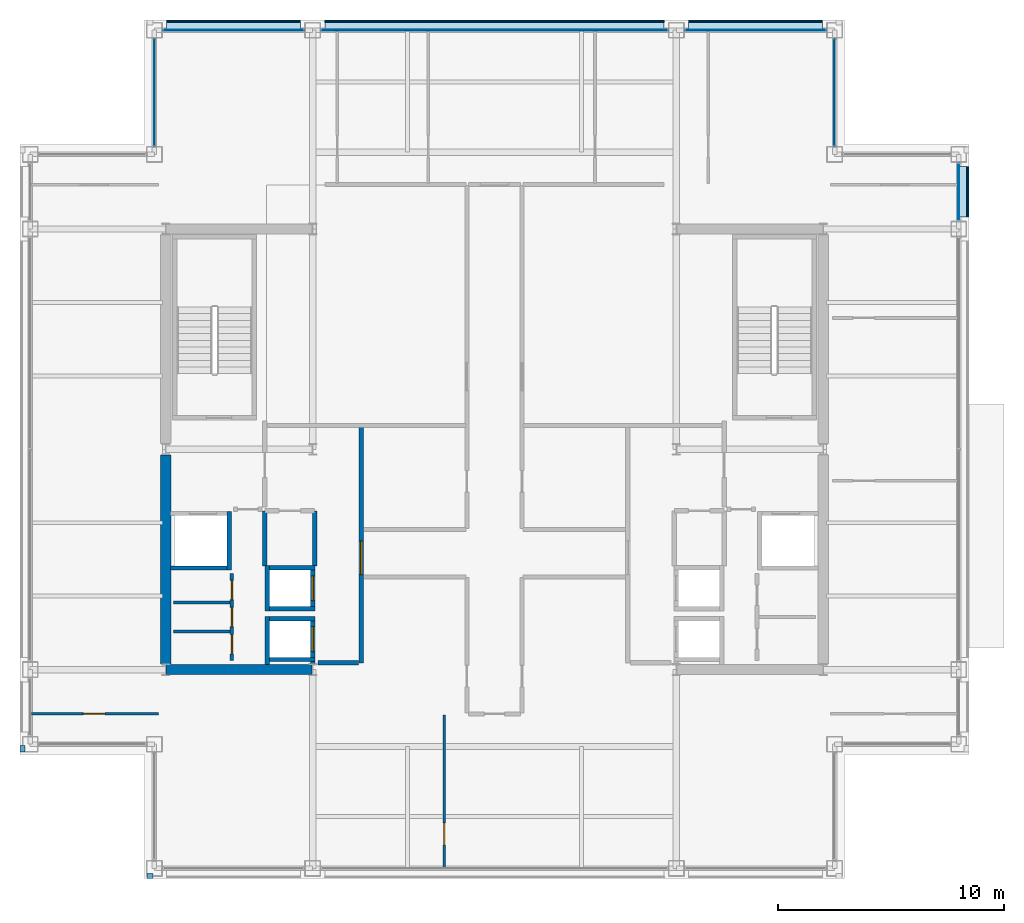
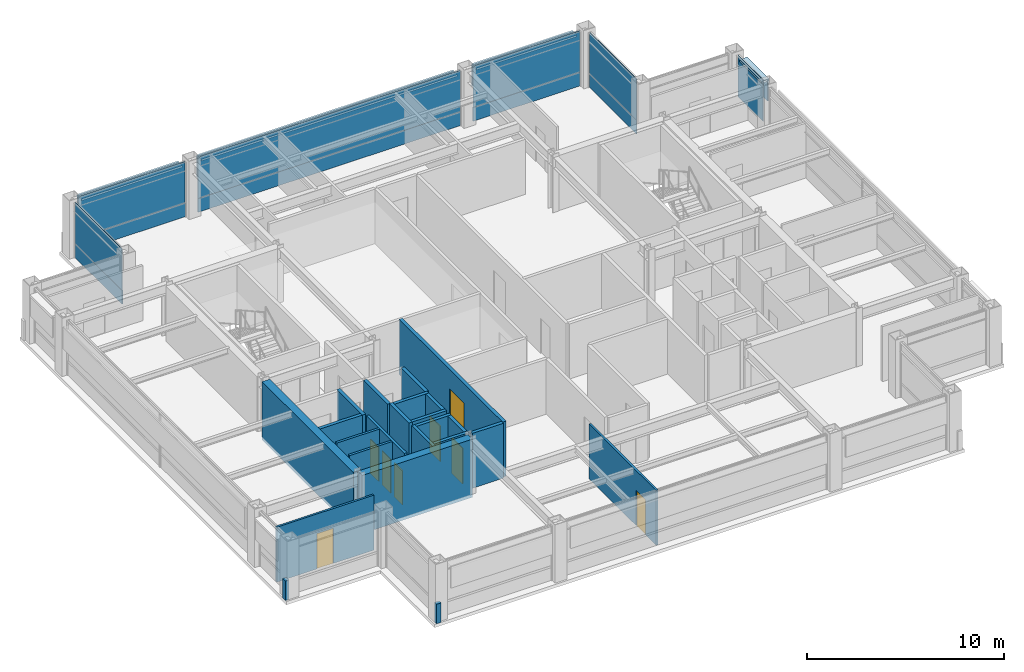
# One storey, part 22 of 26: 23 walls, 19 plates, 8 doors, 8 openings, 6 elements without a shape of their own.
"""IFC4 building model written with IfcOpenShell, lengths in metres."""

import ifcopenshell
import ifcopenshell.guid

model = None  # the IFC model being written
_history = None  # IfcOwnerHistory: only IFC2X3 demands one
_inside = {}  # id of a spatial element -> (the spatial element, [elements in it])
_under = {}  # id of a project, library or spatial element -> (it, [spatial elements below it])
_declared = {}  # id of a project -> (the project, [libraries it declares])
_typed = {}  # id of a type object -> (the type object, [elements of that type])
_made_of = {}  # id of a material, layer set ... -> (it, [elements and type objects made of it])


def new_model(schema):
    """Start an empty IFC model of exactly this schema.

    Asked for "IFC4X3", IfcOpenShell would pick the latest addendum, in which some entities
    have other attributes; the version numbers below select the first issue.
    IFC2X3 requires an IfcOwnerHistory on every rooted entity: one is made here for all.
    """
    global model, _history
    if schema == "IFC4X3":
        model = ifcopenshell.file(schema_version=(4, 3, 0, 0))
    else:
        model = ifcopenshell.file(schema=schema)
    _inside.clear()
    _under.clear()
    _declared.clear()
    _typed.clear()
    _made_of.clear()
    _history = None
    if model.schema == "IFC2X3":
        org = make("IfcOrganization", Name="unknown")
        user = make(
            "IfcPersonAndOrganization",
            ThePerson=make("IfcPerson", FamilyName="unknown"),
            TheOrganization=org,
        )
        app = make(
            "IfcApplication",
            ApplicationDeveloper=org,
            Version="unknown",
            ApplicationFullName="unknown",
            ApplicationIdentifier="unknown",
        )
        _history = make(
            "IfcOwnerHistory",
            OwningUser=user,
            OwningApplication=app,
            ChangeAction="ADDED",
            CreationDate=0,
        )
    return model


def make(cls, **values):
    """One entity of the class cls with the attributes given. An attribute that is None is left unset."""
    return model.create_entity(
        cls, **{name: value for name, value in values.items() if value is not None}
    )


def rooted(cls, **values):
    """An entity with a GlobalId (a new one), such as an element, a storey or a relation."""
    return make(cls, GlobalId=ifcopenshell.guid.new(), OwnerHistory=_history, **values)


def si_unit(unit_type, name, prefix=None):
    """IfcSIUnit, for example si_unit("LENGTHUNIT", "METRE", prefix="MILLI")."""
    return make("IfcSIUnit", UnitType=unit_type, Prefix=prefix, Name=name)


def assignment(units):
    """IfcUnitAssignment: the units of a project."""
    return None if units is None else make("IfcUnitAssignment", Units=units)


def point(xyz):
    """IfcCartesianPoint."""
    return None if xyz is None else make("IfcCartesianPoint", Coordinates=xyz)


def direction(xyz):
    """IfcDirection."""
    return None if xyz is None else make("IfcDirection", DirectionRatios=xyz)


def frame(location, z_axis=None, x_axis=None):
    """IfcAxis2Placement3D, a coordinate frame: its origin and axes. An axis left out is left unset."""
    return make(
        "IfcAxis2Placement3D",
        Location=point(location),
        Axis=direction(z_axis),
        RefDirection=direction(x_axis),
    )


def frame_2d(location, x_axis=None):
    """IfcAxis2Placement2D, a coordinate frame in the plane: its origin and x axis."""
    return make(
        "IfcAxis2Placement2D", Location=point(location), RefDirection=direction(x_axis)
    )


def origin():
    """The frame at (0, 0, 0) with its axes left unset."""
    return frame((0.0, 0.0, 0.0))


def origin_2d():
    """The frame at (0, 0) in the plane with its x axis left unset."""
    return frame_2d((0.0, 0.0))


def place(relative_to, where):
    """IfcLocalPlacement: puts the frame where relative to a parent placement (None: the world)."""
    return make(
        "IfcLocalPlacement", PlacementRelTo=relative_to, RelativePlacement=where
    )


def context(
    kind, dimensions, precision=None, world=None, true_north=None, identifier=None
):
    """IfcGeometricRepresentationContext, for example the 3D "Model" context."""
    return make(
        "IfcGeometricRepresentationContext",
        ContextIdentifier=identifier,
        ContextType=kind,
        CoordinateSpaceDimension=dimensions,
        Precision=precision,
        WorldCoordinateSystem=world,
        TrueNorth=true_north,
    )


def subcontext(parent, identifier, kind, view, scale=None):
    """IfcGeometricRepresentationSubContext, for example "Body" below "Model"."""
    return make(
        "IfcGeometricRepresentationSubContext",
        ContextIdentifier=identifier,
        ContextType=kind,
        ParentContext=parent,
        TargetScale=scale,
        TargetView=view,
    )


def project(units=None, contexts=None):
    """IfcProject with its units and contexts."""
    return rooted(
        "IfcProject",
        Name="project",
        RepresentationContexts=contexts,
        UnitsInContext=assignment(units),
    )


def spatial(cls, under=None, at=None, **own):
    """A site, building, storey or space (cls), placed at a placement, below another one or the project."""
    s = rooted(cls, ObjectPlacement=at, **own)
    if under is not None:
        _under.setdefault(under.id(), (under, []))[1].append(s)
    return s


def profile(cls, at=None, kind="AREA", **sizes):
    """A parametric profile (cls). Its sizes go by their IFC names, for example OverallWidth=200.0."""
    return make(cls, ProfileType=kind, Position=at, **sizes)


def rectangle(**sizes):
    """IfcRectangleProfileDef."""
    return profile("IfcRectangleProfileDef", **sizes)


def extrude(swept, where, along, depth):
    """IfcExtrudedAreaSolid: the profile swept, set in the frame where, extruded along a direction by depth."""
    return make(
        "IfcExtrudedAreaSolid",
        SweptArea=swept,
        Position=where,
        ExtrudedDirection=direction(along),
        Depth=depth,
    )


def shape(context_of_items, identifier, shape_type, items):
    """IfcShapeRepresentation: the items that make up one representation, for example the "Body"."""
    return make(
        "IfcShapeRepresentation",
        ContextOfItems=context_of_items,
        RepresentationIdentifier=identifier,
        RepresentationType=shape_type,
        Items=items,
    )


def material(Name=None, Category=None):
    """IfcMaterial."""
    return make("IfcMaterial", Name=Name, Category=Category)


def layer(
    of_material, thickness, ventilated=None, Name=None, Category=None, Priority=None
):
    """IfcMaterialLayer: one layer of a wall or slab, of a material (None: an air gap)."""
    return make(
        "IfcMaterialLayer",
        Material=of_material,
        LayerThickness=thickness,
        IsVentilated=ventilated,
        Name=Name,
        Category=Category,
        Priority=Priority,
    )


def layer_set(layers, Name=None):
    """IfcMaterialLayerSet."""
    return make("IfcMaterialLayerSet", MaterialLayers=layers, LayerSetName=Name)


def made_of(thing, what):
    """Note that an element or type object is made of a material, layer set ...; save() writes the relation."""
    if what is not None:
        _made_of.setdefault(what.id(), (what, []))[1].append(thing)
    return thing


def type_object(cls, material=None, **own):
    """A type object (cls), such as IfcWallType, which elements share."""
    return made_of(rooted(cls, **own), material)


def element(
    cls,
    number,
    at=None,
    inside=None,
    cuts=None,
    type_object=None,
    material=None,
    context=None,
    identifier="Body",
    shape_type=None,
    held_by="IfcProductDefinitionShape",
    body=None,
    shapes=None,
    **own,
):
    """One element of the class cls, such as IfcWall. Its Tag is "e" and its number.

    at: its placement. inside: the storey or other place that contains it. cuts: it is an
    opening in that element (IfcRelVoidsElement). A single representation is given by context,
    identifier, shape_type and body (its items); several are given by shapes. held_by: the class
    of the entity that holds the representations. save() writes the other relations.
    """
    e = rooted(cls, Tag="e%d" % number, ObjectPlacement=at, **own)
    if body is not None:
        shapes = [shape(context, identifier, shape_type, body)]
    if shapes is not None:
        e.Representation = make(held_by, Representations=shapes)
    if inside is not None:
        _inside.setdefault(inside.id(), (inside, []))[1].append(e)
    if cuts is not None:
        rooted(
            "IfcRelVoidsElement", RelatingBuildingElement=cuts, RelatedOpeningElement=e
        )
    if type_object is not None:
        _typed.setdefault(type_object.id(), (type_object, []))[1].append(e)
    return made_of(e, material)


def fill(opening, filler):
    """IfcRelFillsElement: the door or window that sits in an opening."""
    return rooted(
        "IfcRelFillsElement",
        RelatingOpeningElement=opening,
        RelatedBuildingElement=filler,
    )


def aggregate(whole, parts):
    """IfcRelAggregates: a whole, such as a stair, and the parts it consists of."""
    return rooted("IfcRelAggregates", RelatingObject=whole, RelatedObjects=parts)


def save(model, path):
    """Write the relations noted so far, then the file.

    IfcRelAggregates (storeys below a building ...), IfcRelContainedInSpatialStructure (elements
    in a storey), IfcRelDefinesByType, IfcRelAssociatesMaterial and IfcRelDeclares: one each for
    every whole, place, type object, material and project.
    """
    for whole, parts in _under.values():
        aggregate(whole, parts)
    for where, things in _inside.values():
        rooted(
            "IfcRelContainedInSpatialStructure",
            RelatedElements=things,
            RelatingStructure=where,
        )
    for kind, things in _typed.values():
        rooted("IfcRelDefinesByType", RelatedObjects=things, RelatingType=kind)
    for what, things in _made_of.values():
        rooted("IfcRelAssociatesMaterial", RelatedObjects=things, RelatingMaterial=what)
    for by, libraries in _declared.values():
        rooted("IfcRelDeclares", RelatingContext=by, RelatedDefinitions=libraries)
    model.write(path)


model = new_model("IFC4")

# Units and contexts
model_context = context("Model", 3, precision=1e-05, world=origin(), true_north=direction((0.0, 1.0)))
body_context = subcontext(model_context, "Body", "Model", "MODEL_VIEW")
ifc_project = project(units=[si_unit("LENGTHUNIT", "METRE"), si_unit("AREAUNIT", "SQUARE_METRE"), si_unit("VOLUMEUNIT", "CUBIC_METRE"), si_unit("PLANEANGLEUNIT", "RADIAN"), si_unit("MASSUNIT", "GRAM", prefix="KILO")], contexts=[model_context])

# Site, building, storey
site_placement = place(None, origin())
site = spatial("IfcSite", under=ifc_project, at=site_placement, CompositionType="ELEMENT")
building_placement = place(site_placement, origin())
building = spatial("IfcBuilding", under=site, at=building_placement, Name="Brelmoor Portico Tower", CompositionType="ELEMENT")
storey_placement = place(building_placement, frame((0.0, 0.0, 205.5)))
storey = spatial("IfcBuildingStorey", under=building, at=storey_placement, Name="L54", CompositionType="ELEMENT", Elevation=205.5)

# Curtain wall, plate
ifc_material_1 = material(Name="Anodised Aluminium Alloy 6063-T6", Category="aluminium")
ifc_layer_1 = layer(ifc_material_1, 0.179931640625)
ifc_layer_set_1 = layer_set([ifc_layer_1], Name="Anodised Aluminium Alloy 6063-T6")
curtain_wall_type_1 = type_object("IfcCurtainWallType", Name="CW-TOWER-Z3", PredefinedType="NOTDEFINED", material=ifc_layer_set_1)
curtain_wall_1_placement = place(storey_placement, origin())
curtain_wall_1 = element("IfcCurtainWall", 1, at=curtain_wall_1_placement, inside=storey, type_object=curtain_wall_type_1, Name="L54 Curtain Wall CW-L54-02-1", PredefinedType="NOTDEFINED")
ifc_material_2 = material(Name="Double-Silver Low-E Insulated Glazing", Category="glass")
ifc_layer_2 = layer(ifc_material_2, 0.035888671875)
ifc_layer_set_2 = layer_set([ifc_layer_2], Name="Double-Silver Low-E Insulated Glazing")
plate_type_1 = type_object("IfcPlateType", Name="PT-CW-GLASS", PredefinedType="CURTAIN_PANEL", material=ifc_layer_set_2)
plate_1_placement = place(storey_placement, frame((-11.550048828125, 18.550048828125, 0.85009765625), z_axis=(0.0, 0.0, 1.0), x_axis=(1.0, 0.0, 0.0)))
plate_1 = element("IfcPlate", 2, at=plate_1_placement, type_object=plate_type_1, Name="CW-L54-02-1 Vision Glass Panel 00", PredefinedType="CURTAIN_PANEL", context=body_context, shape_type="SweptSolid", body=[
    extrude(rectangle(XDim=6.25, YDim=0.035888671875, at=origin_2d()), origin(), (0.0, 0.0, 1.0), 2.550048828125),
])

curtain_wall_2_placement = place(storey_placement, origin())
curtain_wall_2 = element("IfcCurtainWall", 3, at=curtain_wall_2_placement, inside=storey, type_object=curtain_wall_type_1, Name="L54 Curtain Wall CW-L54-02-2", PredefinedType="NOTDEFINED")
plate_2_placement = place(storey_placement, frame((0.0, 18.550048828125, 0.85009765625), z_axis=(0.0, 0.0, 1.0), x_axis=(1.0, 0.0, 0.0)))
plate_2 = element("IfcPlate", 4, at=plate_2_placement, type_object=plate_type_1, Name="CW-L54-02-2 Vision Glass Panel 00", PredefinedType="CURTAIN_PANEL", context=body_context, shape_type="SweptSolid", body=[
    extrude(rectangle(XDim=15.35009765625, YDim=0.035888671875, at=origin_2d()), origin(), (0.0, 0.0, 1.0), 2.550048828125),
])

curtain_wall_3_placement = place(storey_placement, origin())
curtain_wall_3 = element("IfcCurtainWall", 5, at=curtain_wall_3_placement, inside=storey, type_object=curtain_wall_type_1, Name="L54 Curtain Wall CW-L54-02-3", PredefinedType="NOTDEFINED")
plate_3_placement = place(storey_placement, frame((11.550048828125, 18.550048828125, 0.85009765625), z_axis=(0.0, 0.0, 1.0), x_axis=(1.0, 0.0, 0.0)))
plate_3 = element("IfcPlate", 6, at=plate_3_placement, type_object=plate_type_1, Name="CW-L54-02-3 Vision Glass Panel 00", PredefinedType="CURTAIN_PANEL", context=body_context, shape_type="SweptSolid", body=[
    extrude(rectangle(XDim=6.25, YDim=0.035888671875, at=origin_2d()), origin(), (0.0, 0.0, 1.0), 2.550048828125),
])

curtain_wall_4_placement = place(storey_placement, origin())
curtain_wall_4 = element("IfcCurtainWall", 7, at=curtain_wall_4_placement, inside=storey, type_object=curtain_wall_type_1, Name="L54 Curtain Wall CW-L54-04-3", PredefinedType="NOTDEFINED")
plate_4_placement = place(storey_placement, frame((20.550048828125, 11.39990234375, 0.85009765625), z_axis=(0.0, 0.0, 1.0), x_axis=(0.0, 1.0, 0.0)))
plate_4 = element("IfcPlate", 8, at=plate_4_placement, type_object=plate_type_1, Name="CW-L54-04-3 Vision Glass Panel 00", PredefinedType="CURTAIN_PANEL", context=body_context, shape_type="SweptSolid", body=[
    extrude(rectangle(XDim=2.550048828125, YDim=0.035888671875, at=origin_2d()), origin(), (0.0, 0.0, 1.0), 2.550048828125),
])
aggregate(curtain_wall_4, [plate_4])

ifc_layer_3 = layer(ifc_material_1, 0.179931640625)
ifc_layer_set_3 = layer_set([ifc_layer_3], Name="Anodised Aluminium Alloy 6063-T6")
curtain_wall_type_2 = type_object("IfcCurtainWallType", Name="CW-NOTCH-CHAMFER", PredefinedType="NOTDEFINED", material=ifc_layer_set_3)
curtain_wall_5_placement = place(storey_placement, origin())
curtain_wall_5 = element("IfcCurtainWall", 9, at=curtain_wall_5_placement, inside=storey, type_object=curtain_wall_type_2, Name="L54 Curtain Wall CWN-L54-NWV", PredefinedType="NOTDEFINED")
plate_5_placement = place(storey_placement, frame((-15.050048828125, 15.800048828125, 0.85009765625), z_axis=(0.0, 0.0, 1.0), x_axis=(0.0, 1.0, 0.0)))
plate_5 = element("IfcPlate", 10, at=plate_5_placement, type_object=plate_type_1, Name="CWN-L54-NWV Vision Glass Panel 00", PredefinedType="CURTAIN_PANEL", context=body_context, shape_type="SweptSolid", body=[
    extrude(rectangle(XDim=4.75, YDim=0.035888671875, at=origin_2d()), origin(), (0.0, 0.0, 1.0), 2.550048828125),
])

curtain_wall_6_placement = place(storey_placement, origin())
curtain_wall_6 = element("IfcCurtainWall", 11, at=curtain_wall_6_placement, inside=storey, type_object=curtain_wall_type_2, Name="L54 Curtain Wall CWN-L54-NEV", PredefinedType="NOTDEFINED")
plate_6_placement = place(storey_placement, frame((15.050048828125, 15.800048828125, 0.85009765625), z_axis=(0.0, 0.0, 1.0), x_axis=(0.0, 1.0, 0.0)))
plate_6 = element("IfcPlate", 12, at=plate_6_placement, type_object=plate_type_1, Name="CWN-L54-NEV Vision Glass Panel 00", PredefinedType="CURTAIN_PANEL", context=body_context, shape_type="SweptSolid", body=[
    extrude(rectangle(XDim=4.75, YDim=0.035888671875, at=origin_2d()), origin(), (0.0, 0.0, 1.0), 2.550048828125),
])

# Plate
ifc_material_3 = material(Name="Pale Champagne Anodised Aluminium Panel", Category="aluminium")
ifc_layer_4 = layer(ifc_material_3, 0.050048828125)
ifc_layer_set_4 = layer_set([ifc_layer_4], Name="Pale Champagne Anodised Aluminium Panel")
plate_type_2 = type_object("IfcPlateType", Name="PT-CW-SPANDREL", PredefinedType="SHEET", material=ifc_layer_set_4)
plate_7_placement = place(storey_placement, frame((-11.550048828125, 18.550048828125, 0.0), z_axis=(0.0, 0.0, 1.0), x_axis=(1.0, 0.0, 0.0)))
plate_7 = element("IfcPlate", 13, at=plate_7_placement, type_object=plate_type_2, Name="CW-L54-02-1 Spandrel Panel 00", PredefinedType="SHEET", context=body_context, shape_type="SweptSolid", body=[
    extrude(rectangle(XDim=6.25, YDim=0.050048828125, at=origin_2d()), origin(), (0.0, 0.0, 1.0), 0.85009765625),
])

aggregate(curtain_wall_1, [plate_7, plate_1])

plate_8_placement = place(storey_placement, frame((0.0, 18.550048828125, 0.0), z_axis=(0.0, 0.0, 1.0), x_axis=(1.0, 0.0, 0.0)))
plate_8 = element("IfcPlate", 14, at=plate_8_placement, type_object=plate_type_2, Name="CW-L54-02-2 Spandrel Panel 00", PredefinedType="SHEET", context=body_context, shape_type="SweptSolid", body=[
    extrude(rectangle(XDim=15.35009765625, YDim=0.050048828125, at=origin_2d()), origin(), (0.0, 0.0, 1.0), 0.85009765625),
])

aggregate(curtain_wall_2, [plate_8, plate_2])

plate_9_placement = place(storey_placement, frame((11.550048828125, 18.550048828125, 0.0), z_axis=(0.0, 0.0, 1.0), x_axis=(1.0, 0.0, 0.0)))
plate_9 = element("IfcPlate", 15, at=plate_9_placement, type_object=plate_type_2, Name="CW-L54-02-3 Spandrel Panel 00", PredefinedType="SHEET", context=body_context, shape_type="SweptSolid", body=[
    extrude(rectangle(XDim=6.25, YDim=0.050048828125, at=origin_2d()), origin(), (0.0, 0.0, 1.0), 0.85009765625),
])

aggregate(curtain_wall_3, [plate_9, plate_3])

plate_10_placement = place(storey_placement, frame((-15.050048828125, 15.800048828125, 0.0), z_axis=(0.0, 0.0, 1.0), x_axis=(0.0, 1.0, 0.0)))
plate_10 = element("IfcPlate", 16, at=plate_10_placement, type_object=plate_type_2, Name="CWN-L54-NWV Spandrel Panel 00", PredefinedType="SHEET", context=body_context, shape_type="SweptSolid", body=[
    extrude(rectangle(XDim=4.75, YDim=0.050048828125, at=origin_2d()), origin(), (0.0, 0.0, 1.0), 0.85009765625),
])

aggregate(curtain_wall_5, [plate_10, plate_5])

plate_11_placement = place(storey_placement, frame((15.050048828125, 15.800048828125, 0.0), z_axis=(0.0, 0.0, 1.0), x_axis=(0.0, 1.0, 0.0)))
plate_11 = element("IfcPlate", 17, at=plate_11_placement, type_object=plate_type_2, Name="CWN-L54-NEV Spandrel Panel 00", PredefinedType="SHEET", context=body_context, shape_type="SweptSolid", body=[
    extrude(rectangle(XDim=4.75, YDim=0.050048828125, at=origin_2d()), origin(), (0.0, 0.0, 1.0), 0.85009765625),
])

aggregate(curtain_wall_6, [plate_11, plate_6])

# Plates
ifc_material_4 = material(Name="Powder-Coated Aluminium Shuttered Jalousie Louvre", Category="aluminium")
ifc_layer_5 = layer(ifc_material_4, 0.06005859375)
ifc_layer_set_5 = layer_set([ifc_layer_5], Name="Powder-Coated Aluminium Shuttered Jalousie Louvre")
plate_type_3 = type_object("IfcPlateType", Name="PT-JALOUSIE-SHUTTER", PredefinedType="SHEET", material=ifc_layer_set_5)
plate_12_placement = place(storey_placement, frame((-11.550048828125, 18.929931640625, 1.8740234375), z_axis=(0.0, 0.0, 1.0), x_axis=(1.0, 0.0, 0.0)))
element("IfcPlate", 18, at=plate_12_placement, inside=storey, type_object=plate_type_3, Name="CW-L54-02-1 Perforated Jalousie Solar Screen", PredefinedType="SHEET", context=body_context, shape_type="SweptSolid", body=[
    extrude(rectangle(XDim=5.919921875, YDim=0.06494140625, at=origin_2d()), origin(), (0.0, 0.0, 1.0), 1.325927734375),
])
plate_13_placement = place(storey_placement, frame((0.0, 18.929931640625, 1.8740234375), z_axis=(0.0, 0.0, 1.0), x_axis=(1.0, 0.0, 0.0)))
element("IfcPlate", 19, at=plate_13_placement, inside=storey, type_object=plate_type_3, Name="CW-L54-02-2 Perforated Jalousie Solar Screen", PredefinedType="SHEET", context=body_context, shape_type="SweptSolid", body=[
    extrude(rectangle(XDim=15.02001953125, YDim=0.06494140625, at=origin_2d()), origin(), (0.0, 0.0, 1.0), 1.325927734375),
])
plate_14_placement = place(storey_placement, frame((11.550048828125, 18.929931640625, 1.8740234375), z_axis=(0.0, 0.0, 1.0), x_axis=(1.0, 0.0, 0.0)))
element("IfcPlate", 20, at=plate_14_placement, inside=storey, type_object=plate_type_3, Name="CW-L54-02-3 Perforated Jalousie Solar Screen", PredefinedType="SHEET", context=body_context, shape_type="SweptSolid", body=[
    extrude(rectangle(XDim=5.919921875, YDim=0.06494140625, at=origin_2d()), origin(), (0.0, 0.0, 1.0), 1.325927734375),
])
plate_15_placement = place(storey_placement, frame((20.929931640625, 11.39990234375, 1.8740234375), z_axis=(0.0, 0.0, 1.0), x_axis=(0.0, 1.0, 0.0)))
element("IfcPlate", 21, at=plate_15_placement, inside=storey, type_object=plate_type_3, Name="CW-L54-04-3 Perforated Jalousie Solar Screen", PredefinedType="SHEET", context=body_context, shape_type="SweptSolid", body=[
    extrude(rectangle(XDim=2.219970703125, YDim=0.06494140625, at=origin_2d()), origin(), (0.0, 0.0, 1.0), 1.325927734375),
])
ifc_material_5 = material(Name="Pale Champagne Perforated Aluminium Solar Screen", Category="aluminium")
ifc_layer_6 = layer(ifc_material_5, 0.054931640625)
ifc_layer_set_6 = layer_set([ifc_layer_6], Name="Pale Champagne Perforated Aluminium Solar Screen")
plate_type_4 = type_object("IfcPlateType", Name="PT-SOLAR-LOUVRE", PredefinedType="SHEET", material=ifc_layer_set_6)
plate_16_placement = place(storey_placement, frame((-11.550048828125, 18.760009765625, 3.08984375), z_axis=(0.0, 0.0, 1.0), x_axis=(1.0, 0.0, 0.0)))
element("IfcPlate", 22, at=plate_16_placement, inside=storey, type_object=plate_type_4, Name="CW-L54-02-1 Caribbean Brise-Soleil Solar Screen", PredefinedType="SHEET", context=body_context, shape_type="SweptSolid", body=[
    extrude(rectangle(XDim=5.919921875, YDim=0.4599609375, at=origin_2d()), origin(), (0.0, 0.0, 1.0), 0.139892578125),
])
plate_17_placement = place(storey_placement, frame((0.0, 18.760009765625, 3.08984375), z_axis=(0.0, 0.0, 1.0), x_axis=(1.0, 0.0, 0.0)))
element("IfcPlate", 23, at=plate_17_placement, inside=storey, type_object=plate_type_4, Name="CW-L54-02-2 Caribbean Brise-Soleil Solar Screen", PredefinedType="SHEET", context=body_context, shape_type="SweptSolid", body=[
    extrude(rectangle(XDim=15.02001953125, YDim=0.4599609375, at=origin_2d()), origin(), (0.0, 0.0, 1.0), 0.139892578125),
])
plate_18_placement = place(storey_placement, frame((11.550048828125, 18.760009765625, 3.08984375), z_axis=(0.0, 0.0, 1.0), x_axis=(1.0, 0.0, 0.0)))
element("IfcPlate", 24, at=plate_18_placement, inside=storey, type_object=plate_type_4, Name="CW-L54-02-3 Caribbean Brise-Soleil Solar Screen", PredefinedType="SHEET", context=body_context, shape_type="SweptSolid", body=[
    extrude(rectangle(XDim=5.919921875, YDim=0.4599609375, at=origin_2d()), origin(), (0.0, 0.0, 1.0), 0.139892578125),
])
plate_19_placement = place(storey_placement, frame((20.760009765625, 11.39990234375, 3.08984375), z_axis=(0.0, 0.0, 1.0), x_axis=(0.0, 1.0, 0.0)))
element("IfcPlate", 25, at=plate_19_placement, inside=storey, type_object=plate_type_4, Name="CW-L54-04-3 Caribbean Brise-Soleil Solar Screen", PredefinedType="SHEET", context=body_context, shape_type="SweptSolid", body=[
    extrude(rectangle(XDim=2.219970703125, YDim=0.4599609375, at=origin_2d()), origin(), (0.0, 0.0, 1.0), 0.139892578125),
])

# Walls
ifc_material_6 = material(Name="Concrete C50", Category="concrete")
ifc_layer_7 = layer(ifc_material_6, 0.449951171875)
ifc_layer_set_7 = layer_set([ifc_layer_7], Name="Concrete C50")
wall_type_1 = type_object("IfcWallType", Name="WL-CORE-450", PredefinedType="SHEAR", material=ifc_layer_set_7)
wall_1_placement = place(storey_placement, frame((-14.530029296875, -9.75, -0.199951171875), z_axis=(0.0, 0.0, 1.0), x_axis=(1.0, 0.0, 0.0)))
element("IfcWall", 26, at=wall_1_placement, inside=storey, type_object=wall_type_1, Name="L54 WC South Shear Wall", PredefinedType="SHEAR", context=body_context, shape_type="SweptSolid", body=[
    extrude(rectangle(XDim=6.4599609375, YDim=0.449951171875, at=frame_2d((3.22998046875, 0.0))), origin(), (0.0, 0.0, 1.0), 3.599853515625),
])
wall_2_placement = place(storey_placement, frame((-14.550048828125, -9.5, -0.199951171875), z_axis=(0.0, 0.0, 1.0), x_axis=(0.0, 1.0, 0.0)))
element("IfcWall", 27, at=wall_2_placement, inside=storey, type_object=wall_type_1, Name="L54 WC Outer South Shear Wall", PredefinedType="SHEAR", context=body_context, shape_type="SweptSolid", body=[
    extrude(rectangle(XDim=9.25, YDim=0.449951171875, at=frame_2d((4.625, 0.0))), origin(), (0.0, 0.0, 1.0), 3.599853515625),
])
ifc_material_7 = material(Name="Concrete C40 Parapet Upstand", Category="concrete")
ifc_layer_8 = layer(ifc_material_7, 0.219970703125)
ifc_layer_set_8 = layer_set([ifc_layer_8], Name="Concrete C40 Parapet Upstand")
wall_type_2 = type_object("IfcWallType", Name="WL-PARAPET-220", PredefinedType="PARAPET", material=ifc_layer_set_8)
for number, where, z_axis, x_axis, name in (
    (28, (-15.389892578125, -18.889892578125, 0.0), (0.0, 0.0, 1.0), (1.0, 0.0, 0.0), "L54 Chamfer Vertex Parapet Pier SW1"),
    (29, (-20.889892578125, -13.389892578125, 0.0), (0.0, 0.0, 1.0), (0.0, 1.0, 0.0), "L54 Chamfer Vertex Parapet Pier SW2"),
):
    element("IfcWall", number, at=place(storey_placement, frame(where, z_axis=z_axis, x_axis=x_axis)), inside=storey, type_object=wall_type_2, Name=name, PredefinedType="PARAPET", context=body_context, shape_type="SweptSolid", body=[
        extrude(rectangle(XDim=0.269775390625, YDim=0.219970703125, at=frame_2d((0.134765625, 0.0))), origin(), (0.0, 0.0, 1.0), 1.199951171875),
    ])

# Wall, opening, door
ifc_material_8 = material(Name="Lightweight Gypsum Office Partition", Category="gypsum")
ifc_layer_9 = layer(ifc_material_8, 0.1201171875)
ifc_layer_set_9 = layer_set([ifc_layer_9], Name="Lightweight Gypsum Office Partition")
wall_type_3 = type_object("IfcWallType", Name="WL-PART-120", PredefinedType="PARTITIONING", material=ifc_layer_set_9)
wall_3_placement = place(storey_placement, frame((-2.2255859375, -18.56005859375, 0.0), z_axis=(0.0, 0.0, 1.0), x_axis=(0.0, 1.0, 0.0)))
wall_3 = element("IfcWall", 30, at=wall_3_placement, inside=storey, type_object=wall_type_3, Name="L54 South Suite Partition 1", PredefinedType="PARTITIONING", context=body_context, shape_type="SweptSolid", body=[
    extrude(rectangle(XDim=6.7900390625, YDim=0.1201171875, at=frame_2d((3.39501953125, 0.0))), origin(), (0.0, 0.0, 1.0), 3.39990234375),
])
opening_1_placement = place(wall_3_placement, frame((1.050048828125, 0.0, 0.0)))
opening_1 = element("IfcOpeningElement", 31, at=opening_1_placement, cuts=wall_3, Name="Opening D-IN2", PredefinedType="OPENING", context=body_context, shape_type="SweptSolid", body=[
    extrude(rectangle(XDim=0.9599609375, YDim=2.179931640625, at=frame_2d((0.47998046875, 1.08984375))), frame((0.0, 0.070068359375, 0.0), z_axis=(0.0, -1.0, 0.0), x_axis=(1.0, 0.0, 0.0)), (0.0, 0.0, 1.0), 0.14013671875),
])
ifc_material_9 = material(Name="Lacquered Timber Suite Door", Category="wood")
door_type_1 = type_object("IfcDoorType", Name="DR-INT-950", OperationType="NOTDEFINED", PredefinedType="DOOR", material=ifc_material_9)
door_1_placement = place(opening_1_placement, origin())
door_1 = element("IfcDoor", 32, at=door_1_placement, inside=storey, type_object=door_type_1, Name="D-2287 L54 South Suite Connecting Door 1", OperationType="SINGLE_SWING_RIGHT", OverallHeight=2.179931640625, OverallWidth=0.9599609375, PredefinedType="DOOR", context=body_context, shape_type="SweptSolid", body=[
    extrude(rectangle(XDim=0.9599609375, YDim=2.179931640625, at=frame_2d((0.47998046875, 1.08984375))), frame((0.0, 0.02490234375, 0.0), z_axis=(0.0, -1.0, 0.0), x_axis=(1.0, 0.0, 0.0)), (0.0, 0.0, 1.0), 0.050048828125),
])
fill(opening_1, door_1)

wall_4_placement = place(storey_placement, frame((-20.56005859375, -11.7099609375, 0.0), z_axis=(0.0, 0.0, 1.0), x_axis=(1.0, 0.0, 0.0)))
wall_4 = element("IfcWall", 33, at=wall_4_placement, inside=storey, type_object=wall_type_3, Name="L54 South Wing Closure WL", PredefinedType="PARTITIONING", context=body_context, shape_type="SweptSolid", body=[
    extrude(rectangle(XDim=5.68017578125, YDim=0.1201171875, at=frame_2d((2.840087890625, 0.0))), origin(), (0.0, 0.0, 1.0), 3.39990234375),
])
opening_2_placement = place(wall_4_placement, frame((2.360107421875, 0.0, 0.0)))
opening_2 = element("IfcOpeningElement", 34, at=opening_2_placement, cuts=wall_4, Name="Opening D-IN2", PredefinedType="OPENING", context=body_context, shape_type="SweptSolid", body=[
    extrude(rectangle(XDim=0.9599609375, YDim=2.179931640625, at=frame_2d((0.47998046875, 1.08984375))), frame((0.0, 0.070068359375, 0.0), z_axis=(0.0, -1.0, 0.0), x_axis=(1.0, 0.0, 0.0)), (0.0, 0.0, 1.0), 0.14013671875),
])
door_2_placement = place(opening_2_placement, origin())
door_2 = element("IfcDoor", 35, at=door_2_placement, inside=storey, type_object=door_type_1, Name="D-2291 L54 WL Wing South Suite Door", OperationType="SINGLE_SWING_RIGHT", OverallHeight=2.179931640625, OverallWidth=0.9599609375, PredefinedType="DOOR", context=body_context, shape_type="SweptSolid", body=[
    extrude(rectangle(XDim=0.9599609375, YDim=2.179931640625, at=frame_2d((0.47998046875, 1.08984375))), frame((0.0, 0.02490234375, 0.0), z_axis=(0.0, -1.0, 0.0), x_axis=(1.0, 0.0, 0.0)), (0.0, 0.0, 1.0), 0.050048828125),
])
fill(opening_2, door_2)

# Walls
ifc_material_10 = material(Name="Insulated Stud Suite Partition", Category="gypsum")
ifc_layer_10 = layer(ifc_material_10, 0.139892578125)
ifc_layer_set_10 = layer_set([ifc_layer_10], Name="Insulated Stud Suite Partition")
wall_type_4 = type_object("IfcWallType", Name="WL-PART-140", PredefinedType="PARTITIONING", material=ifc_layer_set_10)
for number, where, z_axis, x_axis, name in (
    (36, (-11.699951171875, -8.066650390625, 0.0), (0.0, 0.0, 1.0), (-1.0, 0.0, 0.0), "L54 W Core WC Divider 1"),
    (37, (-11.699951171875, -6.783203125, 0.0), (0.0, 0.0, 1.0), (-1.0, 0.0, 0.0), "L54 W Core WC Divider 2"),
):
    element("IfcWall", number, at=place(storey_placement, frame(where, z_axis=z_axis, x_axis=x_axis)), inside=storey, type_object=wall_type_4, Name=name, PredefinedType="PARTITIONING", context=body_context, shape_type="SweptSolid", body=[
        extrude(rectangle(XDim=2.5, YDim=0.139892578125, at=frame_2d((1.25, 0.0))), origin(), (0.0, 0.0, 1.0), 3.39990234375),
    ])

# Wall, openings, doors
ifc_material_11 = material(Name="Twin-Frame Acoustic Partition", Category="gypsum")
ifc_layer_11 = layer(ifc_material_11, 0.159912109375)
ifc_layer_set_11 = layer_set([ifc_layer_11], Name="Twin-Frame Acoustic Partition")
wall_type_5 = type_object("IfcWallType", Name="WL-PART-160", PredefinedType="PARTITIONING", material=ifc_layer_set_11)
wall_5_placement = place(storey_placement, frame((-11.6201171875, -9.35009765625, 0.0), z_axis=(0.0, 0.0, 1.0), x_axis=(0.0, 1.0, 0.0)))
wall_5 = element("IfcWall", 38, at=wall_5_placement, inside=storey, type_object=wall_type_5, Name="L54 W Core Service Front Wall", PredefinedType="PARTITIONING", context=body_context, shape_type="SweptSolid", body=[
    extrude(rectangle(XDim=3.85009765625, YDim=0.159912109375, at=frame_2d((1.925048828125, 0.0))), origin(), (0.0, 0.0, 1.0), 3.39990234375),
])
opening_3_placement = place(wall_5_placement, frame((0.300048828125, 0.0, 0.0)))
opening_3 = element("IfcOpeningElement", 39, at=opening_3_placement, cuts=wall_5, Name="Opening D-WC1", PredefinedType="OPENING", context=body_context, shape_type="SweptSolid", body=[
    extrude(rectangle(XDim=0.85009765625, YDim=2.1201171875, at=frame_2d((0.425048828125, 1.06005859375))), frame((0.0, 0.08984375, 0.0), z_axis=(0.0, -1.0, 0.0), x_axis=(1.0, 0.0, 0.0)), (0.0, 0.0, 1.0), 0.179931640625),
])
opening_4_placement = place(wall_5_placement, frame((1.5, 0.0, 0.0)))
opening_4 = element("IfcOpeningElement", 40, at=opening_4_placement, cuts=wall_5, Name="Opening D-WC1", PredefinedType="OPENING", context=body_context, shape_type="SweptSolid", body=[
    extrude(rectangle(XDim=0.85009765625, YDim=2.1201171875, at=frame_2d((0.425048828125, 1.06005859375))), frame((0.0, 0.08984375, 0.0), z_axis=(0.0, -1.0, 0.0), x_axis=(1.0, 0.0, 0.0)), (0.0, 0.0, 1.0), 0.179931640625),
])
opening_5_placement = place(wall_5_placement, frame((2.699951171875, 0.0, 0.0)))
opening_5 = element("IfcOpeningElement", 41, at=opening_5_placement, cuts=wall_5, Name="Opening D-WC1", PredefinedType="OPENING", context=body_context, shape_type="SweptSolid", body=[
    extrude(rectangle(XDim=0.85009765625, YDim=2.1201171875, at=frame_2d((0.425048828125, 1.06005859375))), frame((0.0, 0.08984375, 0.0), z_axis=(0.0, -1.0, 0.0), x_axis=(1.0, 0.0, 0.0)), (0.0, 0.0, 1.0), 0.179931640625),
])
ifc_material_12 = material(Name="Moisture-Resistant Laminate WC Door", Category="timber")
door_type_2 = type_object("IfcDoorType", Name="DR-WC-850", OperationType="NOTDEFINED", PredefinedType="DOOR", material=ifc_material_12)
door_3_placement = place(opening_3_placement, origin())
door_3 = element("IfcDoor", 42, at=door_3_placement, inside=storey, type_object=door_type_2, Name="D-2270 L54 W Accessible WC Door", OperationType="SINGLE_SWING_LEFT", OverallHeight=2.1201171875, OverallWidth=0.85009765625, PredefinedType="DOOR", context=body_context, shape_type="SweptSolid", body=[
    extrude(rectangle(XDim=0.85009765625, YDim=2.1201171875, at=frame_2d((0.425048828125, 1.06005859375))), frame((0.0, 0.02490234375, 0.0), z_axis=(0.0, -1.0, 0.0), x_axis=(1.0, 0.0, 0.0)), (0.0, 0.0, 1.0), 0.050048828125),
])
fill(opening_3, door_3)
door_4_placement = place(opening_4_placement, origin())
door_4 = element("IfcDoor", 43, at=door_4_placement, inside=storey, type_object=door_type_2, Name="D-2271 L54 W Staff WC Door", OperationType="SINGLE_SWING_RIGHT", OverallHeight=2.1201171875, OverallWidth=0.85009765625, PredefinedType="DOOR", context=body_context, shape_type="SweptSolid", body=[
    extrude(rectangle(XDim=0.85009765625, YDim=2.1201171875, at=frame_2d((0.425048828125, 1.06005859375))), frame((0.0, 0.02490234375, 0.0), z_axis=(0.0, -1.0, 0.0), x_axis=(1.0, 0.0, 0.0)), (0.0, 0.0, 1.0), 0.050048828125),
])
fill(opening_4, door_4)
door_5_placement = place(opening_5_placement, origin())
door_5 = element("IfcDoor", 44, at=door_5_placement, inside=storey, type_object=door_type_2, Name="D-2272 L54 W Cleaner Store Door", OperationType="SINGLE_SWING_LEFT", OverallHeight=2.1201171875, OverallWidth=0.85009765625, PredefinedType="DOOR", context=body_context, shape_type="SweptSolid", body=[
    extrude(rectangle(XDim=0.85009765625, YDim=2.1201171875, at=frame_2d((0.425048828125, 1.06005859375))), frame((0.0, 0.02490234375, 0.0), z_axis=(0.0, -1.0, 0.0), x_axis=(1.0, 0.0, 0.0)), (0.0, 0.0, 1.0), 0.050048828125),
])
fill(opening_5, door_5)

# Wall, opening, door
ifc_material_13 = material(Name="Double-Stud Gypsum Fire Partition", Category="gypsum")
ifc_layer_12 = layer(ifc_material_13, 0.199951171875)
ifc_layer_set_12 = layer_set([ifc_layer_12], Name="Double-Stud Gypsum Fire Partition")
wall_type_6 = type_object("IfcWallType", Name="WL-PART-200", PredefinedType="PARTITIONING", material=ifc_layer_set_12)
wall_6_placement = place(storey_placement, frame((-5.89990234375, -9.449951171875, 0.0), z_axis=(0.0, 0.0, 1.0), x_axis=(0.0, 1.0, 0.0)))
wall_6 = element("IfcWall", 45, at=wall_6_placement, inside=storey, type_object=wall_type_6, Name="L54 W Core Lobby Compartment Wall", PredefinedType="PARTITIONING", context=body_context, shape_type="SweptSolid", body=[
    extrude(rectangle(XDim=10.5, YDim=0.199951171875, at=frame_2d((5.25, 0.0))), origin(), (0.0, 0.0, 1.0), 3.39990234375),
])
opening_6_placement = place(wall_6_placement, frame((3.89990234375, 0.0, 0.0)))
opening_6 = element("IfcOpeningElement", 46, at=opening_6_placement, cuts=wall_6, Name="Opening D-LB1", PredefinedType="OPENING", context=body_context, shape_type="SweptSolid", body=[
    extrude(rectangle(XDim=1.5, YDim=2.199951171875, at=frame_2d((0.75, 1.10009765625))), frame((0.0, 0.10986328125, 0.0), z_axis=(0.0, -1.0, 0.0), x_axis=(1.0, 0.0, 0.0)), (0.0, 0.0, 1.0), 0.219970703125),
])
ifc_material_14 = material(Name="Double-Leaf Glazed Steel Fire Door", Category="steel")
door_type_3 = type_object("IfcDoorType", Name="DR-LOBBY-1500", OperationType="NOTDEFINED", PredefinedType="DOOR", material=ifc_material_14)
door_6_placement = place(opening_6_placement, origin())
door_6 = element("IfcDoor", 47, at=door_6_placement, inside=storey, type_object=door_type_3, Name="D-2278 L54 W Lift Lobby Main Door", OperationType="DOUBLE_DOOR_SINGLE_SWING", OverallHeight=2.199951171875, OverallWidth=1.5, PredefinedType="DOOR", context=body_context, shape_type="SweptSolid", body=[
    extrude(rectangle(XDim=1.5, YDim=2.199951171875, at=frame_2d((0.75, 1.10009765625))), frame((0.0, 0.02490234375, 0.0), z_axis=(0.0, -1.0, 0.0), x_axis=(1.0, 0.0, 0.0)), (0.0, 0.0, 1.0), 0.050048828125),
])
fill(opening_6, door_6)

# Walls
wall_7_placement = place(storey_placement, frame((-6.02001953125, -9.449951171875, 0.0), z_axis=(0.0, 0.0, 1.0), x_axis=(-1.0, 0.0, 0.0)))
element("IfcWall", 48, at=wall_7_placement, inside=storey, type_object=wall_type_6, Name="L54 W Lift Lobby South End Wall", PredefinedType="PARTITIONING", context=body_context, shape_type="SweptSolid", body=[
    extrude(rectangle(XDim=1.800048828125, YDim=0.199951171875, at=frame_2d((0.89990234375, 0.0))), origin(), (0.0, 0.0, 1.0), 3.39990234375),
])
for number, where, z_axis, x_axis, name in (
    (49, (-7.9599609375, -5.159912109375, 0.0), (0.0, 0.0, 1.0), (0.0, 1.0, 0.0), "L54 W Electrical Switchgear Closet Inner Wall"),
    (50, (-10.159912109375, -5.159912109375, 0.0), (0.0, 0.0, 1.0), (0.0, 1.0, 0.0), "L54 W Electrical Switchgear Closet Outer Wall"),
):
    element("IfcWall", number, at=place(storey_placement, frame(where, z_axis=z_axis, x_axis=x_axis)), inside=storey, type_object=wall_type_6, Name=name, PredefinedType="PARTITIONING", context=body_context, shape_type="SweptSolid", body=[
        extrude(rectangle(XDim=2.43994140625, YDim=0.199951171875, at=frame_2d((1.219970703125, 0.0))), origin(), (0.0, 0.0, 1.0), 3.39990234375),
    ])

# Wall, opening, door
ifc_material_15 = material(Name="Precast Concrete C40", Category="concrete")
ifc_layer_13 = layer(ifc_material_15, 0.18994140625)
ifc_layer_set_13 = layer_set([ifc_layer_13], Name="Precast Concrete C40")
wall_type_7 = type_object("IfcWallType", Name="WL-SHAFT-180", PredefinedType="SOLIDWALL", material=ifc_layer_set_13)
wall_8_placement = place(storey_placement, frame((-8.044921875, -9.52001953125, -0.199951171875), z_axis=(0.0, 0.0, 1.0), x_axis=(0.0, 1.0, 0.0)))
wall_8 = element("IfcWall", 51, at=wall_8_placement, inside=storey, type_object=wall_type_7, Name="L54 Lift PH1 Hoistway Front Wall", PredefinedType="SOLIDWALL", context=body_context, shape_type="SweptSolid", body=[
    extrude(rectangle(XDim=2.1201171875, YDim=0.18994140625, at=frame_2d((1.06005859375, 0.0))), origin(), (0.0, 0.0, 1.0), 3.599853515625),
])
opening_7_placement = place(wall_8_placement, frame((0.570068359375, 0.0, 0.199951171875)))
opening_7 = element("IfcOpeningElement", 52, at=opening_7_placement, cuts=wall_8, Name="Opening LD-01", PredefinedType="OPENING", context=body_context, shape_type="SweptSolid", body=[
    extrude(rectangle(XDim=1.10009765625, YDim=2.199951171875, at=frame_2d((0.550048828125, 1.10009765625))), frame((0.0, 0.10498046875, 0.0), z_axis=(0.0, -1.0, 0.0), x_axis=(1.0, 0.0, 0.0)), (0.0, 0.0, 1.0), 0.2099609375),
])
ifc_material_16 = material(Name="Brushed Stainless Steel Sliding Lift Door", Category="steel")
door_type_4 = type_object("IfcDoorType", Name="DR-LIFT-1100", OperationType="NOTDEFINED", PredefinedType="DOOR", material=ifc_material_16)
door_7_placement = place(opening_7_placement, origin())
door_7 = element("IfcDoor", 53, at=door_7_placement, inside=storey, type_object=door_type_4, Name="D-2296 L54 Lift PH1 Sliding Landing Door", OperationType="SLIDING_TO_LEFT", OverallHeight=2.199951171875, OverallWidth=1.10009765625, PredefinedType="DOOR", context=body_context, shape_type="SweptSolid", body=[
    extrude(rectangle(XDim=1.10009765625, YDim=2.199951171875, at=frame_2d((0.550048828125, 1.10009765625))), frame((0.0, 0.02490234375, 0.0), z_axis=(0.0, -1.0, 0.0), x_axis=(1.0, 0.0, 0.0)), (0.0, 0.0, 1.0), 0.050048828125),
])
fill(opening_7, door_7)

# Walls
wall_9_placement = place(storey_placement, frame((-10.054931640625, -9.52001953125, -0.199951171875), z_axis=(0.0, 0.0, 1.0), x_axis=(0.0, 1.0, 0.0)))
element("IfcWall", 54, at=wall_9_placement, inside=storey, type_object=wall_type_7, Name="L54 Lift PH1 Hoistway Back Wall", PredefinedType="SOLIDWALL", context=body_context, shape_type="SweptSolid", body=[
    extrude(rectangle(XDim=2.1201171875, YDim=0.18994140625, at=frame_2d((1.06005859375, 0.0))), origin(), (0.0, 0.0, 1.0), 3.599853515625),
])
for number, where, z_axis, x_axis, name in (
    (55, (-10.14990234375, -7.4951171875, -0.199951171875), (0.0, 0.0, 1.0), (1.0, 0.0, 0.0), "L54 Lift PH1 Hoistway North Wall"),
    (56, (-10.14990234375, -9.304931640625, -0.199951171875), (0.0, 0.0, 1.0), (1.0, 0.0, 0.0), "L54 Lift PH1 Hoistway South Wall"),
):
    element("IfcWall", number, at=place(storey_placement, frame(where, z_axis=z_axis, x_axis=x_axis)), inside=storey, type_object=wall_type_7, Name=name, PredefinedType="SOLIDWALL", context=body_context, shape_type="SweptSolid", body=[
        extrude(rectangle(XDim=2.199951171875, YDim=0.18994140625, at=frame_2d((1.10009765625, 0.0))), origin(), (0.0, 0.0, 1.0), 3.599853515625),
    ])

# Wall, opening, door
wall_10_placement = place(storey_placement, frame((-8.044921875, -7.14990234375, -0.199951171875), z_axis=(0.0, 0.0, 1.0), x_axis=(0.0, 1.0, 0.0)))
wall_10 = element("IfcWall", 57, at=wall_10_placement, inside=storey, type_object=wall_type_7, Name="L54 Lift PH2 Hoistway Front Wall", PredefinedType="SOLIDWALL", context=body_context, shape_type="SweptSolid", body=[
    extrude(rectangle(XDim=2.0, YDim=0.18994140625, at=frame_2d((1.0, 0.0))), origin(), (0.0, 0.0, 1.0), 3.599853515625),
])
opening_8_placement = place(wall_10_placement, frame((0.449951171875, 0.0, 0.199951171875)))
opening_8 = element("IfcOpeningElement", 58, at=opening_8_placement, cuts=wall_10, Name="Opening LD-01", PredefinedType="OPENING", context=body_context, shape_type="SweptSolid", body=[
    extrude(rectangle(XDim=1.10009765625, YDim=2.199951171875, at=frame_2d((0.550048828125, 1.10009765625))), frame((0.0, 0.10498046875, 0.0), z_axis=(0.0, -1.0, 0.0), x_axis=(1.0, 0.0, 0.0)), (0.0, 0.0, 1.0), 0.2099609375),
])
door_8_placement = place(opening_8_placement, origin())
door_8 = element("IfcDoor", 59, at=door_8_placement, inside=storey, type_object=door_type_4, Name="D-2297 L54 Lift PH2 Sliding Landing Door", OperationType="SLIDING_TO_LEFT", OverallHeight=2.199951171875, OverallWidth=1.10009765625, PredefinedType="DOOR", context=body_context, shape_type="SweptSolid", body=[
    extrude(rectangle(XDim=1.10009765625, YDim=2.199951171875, at=frame_2d((0.550048828125, 1.10009765625))), frame((0.0, 0.02490234375, 0.0), z_axis=(0.0, -1.0, 0.0), x_axis=(1.0, 0.0, 0.0)), (0.0, 0.0, 1.0), 0.050048828125),
])
fill(opening_8, door_8)

# Walls
wall_11_placement = place(storey_placement, frame((-10.054931640625, -7.14990234375, -0.199951171875), z_axis=(0.0, 0.0, 1.0), x_axis=(0.0, 1.0, 0.0)))
element("IfcWall", 60, at=wall_11_placement, inside=storey, type_object=wall_type_7, Name="L54 Lift PH2 Hoistway Back Wall", PredefinedType="SOLIDWALL", context=body_context, shape_type="SweptSolid", body=[
    extrude(rectangle(XDim=2.0, YDim=0.18994140625, at=frame_2d((1.0, 0.0))), origin(), (0.0, 0.0, 1.0), 3.599853515625),
])
for number, where, z_axis, x_axis, name in (
    (61, (-10.14990234375, -5.2451171875, -0.199951171875), (0.0, 0.0, 1.0), (1.0, 0.0, 0.0), "L54 Lift PH2 Hoistway North Wall"),
    (62, (-10.14990234375, -7.054931640625, -0.199951171875), (0.0, 0.0, 1.0), (1.0, 0.0, 0.0), "L54 Lift PH2 Hoistway South Wall"),
):
    element("IfcWall", number, at=place(storey_placement, frame(where, z_axis=z_axis, x_axis=x_axis)), inside=storey, type_object=wall_type_7, Name=name, PredefinedType="SOLIDWALL", context=body_context, shape_type="SweptSolid", body=[
        extrude(rectangle(XDim=2.199951171875, YDim=0.18994140625, at=frame_2d((1.10009765625, 0.0))), origin(), (0.0, 0.0, 1.0), 3.599853515625),
    ])
wall_12_placement = place(storey_placement, frame((-14.330078125, -5.2548828125, -0.199951171875), z_axis=(0.0, 0.0, 1.0), x_axis=(1.0, 0.0, 0.0)))
element("IfcWall", 63, at=wall_12_placement, inside=storey, type_object=wall_type_7, Name="L54 Firefighting Lift FF1 South Wall", PredefinedType="SOLIDWALL", context=body_context, shape_type="SweptSolid", body=[
    extrude(rectangle(XDim=2.68017578125, YDim=0.18994140625, at=frame_2d((1.340087890625, 0.0))), origin(), (0.0, 0.0, 1.0), 3.599853515625),
])
wall_13_placement = place(storey_placement, frame((-11.7451171875, -5.35009765625, -0.199951171875), z_axis=(0.0, 0.0, 1.0), x_axis=(0.0, 1.0, 0.0)))
element("IfcWall", 64, at=wall_13_placement, inside=storey, type_object=wall_type_7, Name="L54 Firefighting Lift FF1 Inner Wall", PredefinedType="SOLIDWALL", context=body_context, shape_type="SweptSolid", body=[
    extrude(rectangle(XDim=2.60009765625, YDim=0.18994140625, at=frame_2d((1.300048828125, 0.0))), origin(), (0.0, 0.0, 1.0), 3.599853515625),
])

save(model, "model.ifc")
